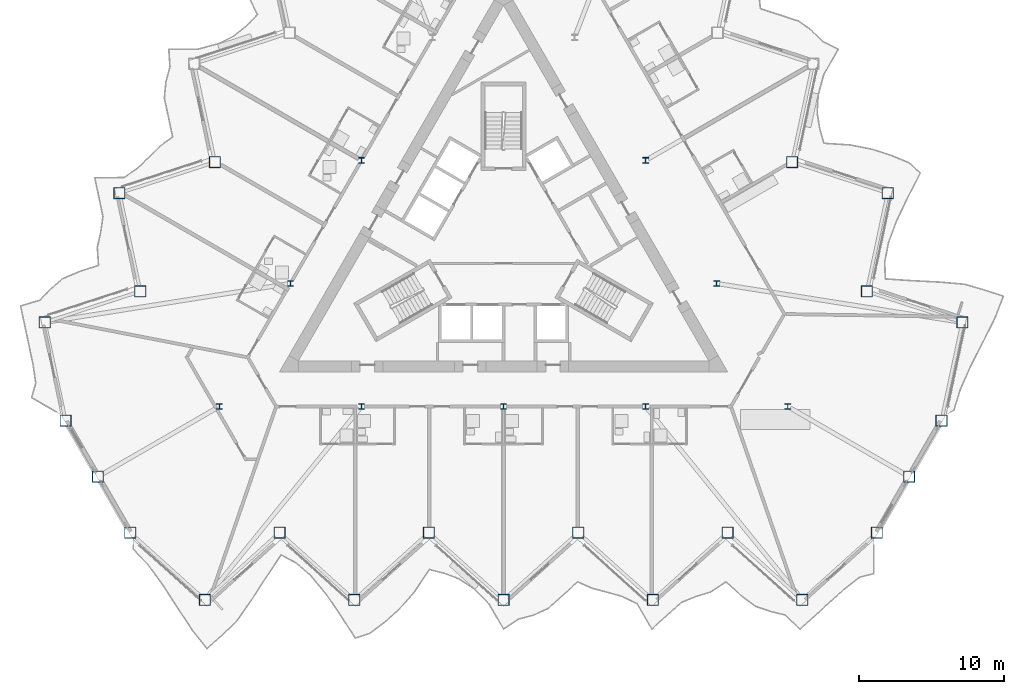
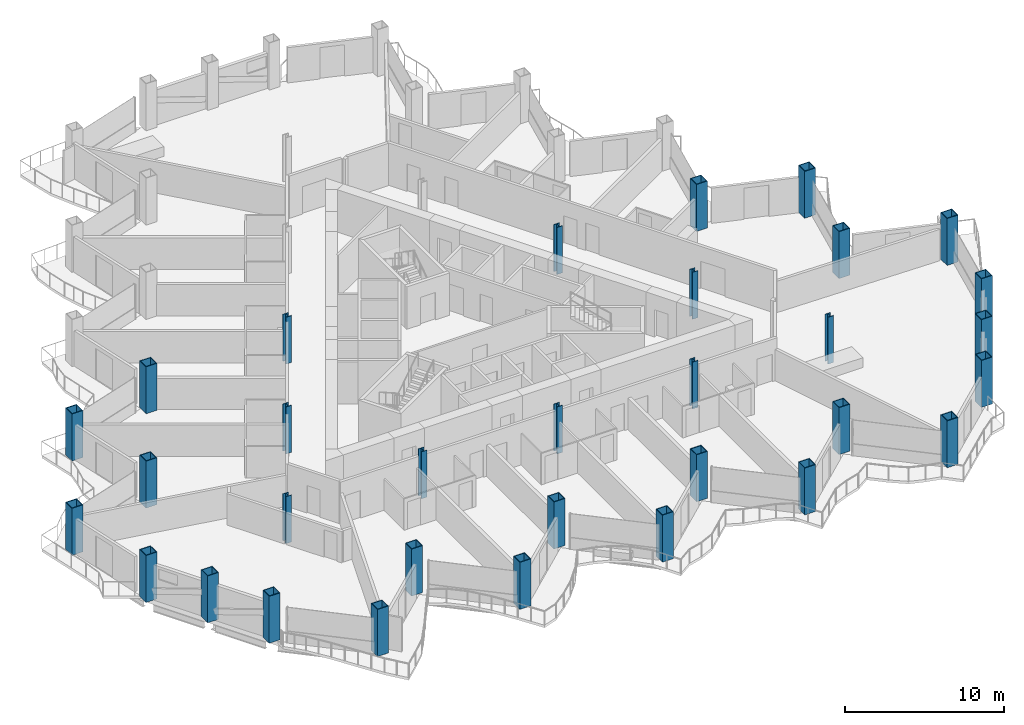
# One storey, part 1 of 23: 32 columns.
"""IFC4 building model written with IfcOpenShell, lengths in metres."""

from ifc_helpers import new_model, si_unit, direction, frame, origin, origin_2d, place, context, subcontext, project, spatial, hollow_rectangle, i_section, extrude, material, material_profile, profile_set, type_object, element, save


model = new_model("IFC4")

# Units and contexts
model_context = context("Model", 3, precision=1e-05, world=origin(), true_north=direction((0.0, 1.0)))
body_context = subcontext(model_context, "Body", "Model", "MODEL_VIEW")
ifc_project = project(units=[si_unit("LENGTHUNIT", "METRE"), si_unit("AREAUNIT", "SQUARE_METRE"), si_unit("VOLUMEUNIT", "CUBIC_METRE"), si_unit("PLANEANGLEUNIT", "RADIAN"), si_unit("MASSUNIT", "GRAM", prefix="KILO")], contexts=[model_context])

# Site, building, storey
site_placement = place(None, origin())
site = spatial("IfcSite", under=ifc_project, at=site_placement, CompositionType="ELEMENT")
building_placement = place(site_placement, origin())
building = spatial("IfcBuilding", under=site, at=building_placement, Name="Cormorant Prow Tower", CompositionType="ELEMENT")
storey_placement = place(building_placement, frame((0.0, 0.0, 180.0)))
storey = spatial("IfcBuildingStorey", under=building, at=storey_placement, Name="L38", CompositionType="ELEMENT", Elevation=180.0)

# Columns
ifc_material_1 = material(Name="Structural steel ASTM A572 Gr 50", Category="steel")
ifc_material_profile_1 = material_profile(ifc_material_1, hollow_rectangle(XDim=0.800048828125, YDim=0.800048828125, WallThickness=0.050048828125, at=origin_2d()), Name="Box 800x800x50")
ifc_profile_set_1 = profile_set([ifc_material_profile_1], Name="Structural steel ASTM A572 Gr 50")
column_type_1 = type_object("IfcColumnType", Name="Perimeter box column 800x800x50", PredefinedType="COLUMN", material=ifc_profile_set_1)
for number, where, z_axis, x_axis, name in (
    (1, (-25.823486328125, -20.0712890625, 0.0), (0.0, 0.0, 1.0), (1.0, 0.0, 0.0), "Perimeter column C4 at S00 L38"),
    (2, (-20.658935546875, -24.7216796875, 0.0), (0.0, 0.0, 1.0), (1.0, 0.0, 0.0), "Perimeter column C4 at S01 L38"),
    (3, (-15.494140625, -20.0712890625, 0.0), (0.0, 0.0, 1.0), (1.0, 0.0, 0.0), "Perimeter column C4 at S02 L38"),
    (4, (-10.329345703125, -24.7216796875, 0.0), (0.0, 0.0, 1.0), (1.0, 0.0, 0.0), "Perimeter column C4 at S03 L38"),
    (5, (-5.164794921875, -20.0712890625, 0.0), (0.0, 0.0, 1.0), (1.0, 0.0, 0.0), "Perimeter column C4 at S04 L38"),
    (6, (0.0, -24.7216796875, 0.0), (0.0, 0.0, 1.0), (1.0, 0.0, 0.0), "Perimeter column C4 at S05 L38"),
    (7, (5.164794921875, -20.0712890625, 0.0), (0.0, 0.0, 1.0), (1.0, 0.0, 0.0), "Perimeter column C4 at S06 L38"),
    (8, (10.329345703125, -24.7216796875, 0.0), (0.0, 0.0, 1.0), (1.0, 0.0, 0.0), "Perimeter column C4 at S07 L38"),
    (9, (15.494140625, -20.0712890625, 0.0), (0.0, 0.0, 1.0), (1.0, 0.0, 0.0), "Perimeter column C4 at S08 L38"),
    (10, (20.658935546875, -24.7216796875, 0.0), (0.0, 0.0, 1.0), (1.0, 0.0, 0.0), "Perimeter column C4 at S09 L38"),
    (11, (25.823486328125, -20.0712890625, 0.0), (0.0, 0.0, 1.0), (1.0, 0.0, 0.0), "Perimeter column C4 at ESE00 L38"),
    (12, (28.058837890625, -16.19970703125, 0.0), (0.0, 0.0, 1.0), (1.0, 0.0, 0.0), "Perimeter column C4 at ESE01 L38"),
    (13, (30.2939453125, -12.328369140625, 0.0), (0.0, 0.0, 1.0), (1.0, 0.0, 0.0), "Perimeter column C4 at ENE00 L38"),
    (14, (31.739013671875, -5.5302734375, 0.0), (0.0, 0.0, 1.0), (1.0, 0.0, 0.0), "Perimeter column C4 at ENE01 L38"),
    (15, (25.12939453125, -3.3828125, 0.0), (0.0, 0.0, 1.0), (1.0, 0.0, 0.0), "Perimeter column C4 at ENE02 L38"),
    (16, (26.57421875, 3.415283203125, 0.0), (0.0, 0.0, 1.0), (1.0, 0.0, 0.0), "Perimeter column C4 at ENE03 L38"),
    (17, (19.964599609375, 5.562744140625, 0.0), (0.0, 0.0, 1.0), (1.0, 0.0, 0.0), "Perimeter column C4 at ENE04 L38"),
    (18, (-19.964599609375, 5.562744140625, 0.0), (0.0, 0.0, 1.0), (1.0, 0.0, 0.0), "Perimeter column C4 at WNW06 L38"),
    (19, (-26.57421875, 3.415283203125, 0.0), (0.0, 0.0, 1.0), (1.0, 0.0, 0.0), "Perimeter column C4 at WNW07 L38"),
    (20, (-25.12939453125, -3.3828125, 0.0), (0.0, 0.0, 1.0), (1.0, 0.0, 0.0), "Perimeter column C4 at WNW08 L38"),
    (21, (-31.739013671875, -5.5302734375, 0.0), (0.0, 0.0, 1.0), (1.0, 0.0, 0.0), "Perimeter column C4 at WNW09 L38"),
    (22, (-30.2939453125, -12.328369140625, 0.0), (0.0, 0.0, 1.0), (1.0, 0.0, 0.0), "Perimeter column C4 at WSW00 L38"),
    (23, (-28.058837890625, -16.19970703125, 0.0), (0.0, 0.0, 1.0), (1.0, 0.0, 0.0), "Perimeter column C4 at WSW01 L38"),
):
    element("IfcColumn", number, at=place(storey_placement, frame(where, z_axis=z_axis, x_axis=x_axis)), inside=storey, type_object=column_type_1, Name=name, PredefinedType="COLUMN", context=body_context, shape_type="SweptSolid", body=[
        extrude(hollow_rectangle(XDim=0.800048828125, YDim=0.800048828125, WallThickness=0.050048828125, at=origin_2d()), origin(), (0.0, 0.0, 1.0), 3.60009765625),
    ])
ifc_material_2 = material(Name="Structural steel ASTM A992 Gr 50", Category="steel")
ifc_material_profile_2 = material_profile(ifc_material_2, i_section(OverallWidth=0.403564453125, OverallDepth=0.407470703125, WebThickness=0.027099609375, FlangeThickness=0.043701171875, at=origin_2d()), Name="W14x233")
ifc_profile_set_2 = profile_set([ifc_material_profile_2], Name="Structural steel ASTM A992 Gr 50")
column_type_2 = type_object("IfcColumnType", Name="Ring column W14x233", PredefinedType="COLUMN", material=ifc_profile_set_2)
for number, where, z_axis, x_axis, name in (
    (24, (-9.828369140625, 5.674560546875, 0.0), (0.0, 0.0, 1.0), (1.0, 0.0, 0.0), "Ring column 3 L38"),
    (25, (-14.74267578125, -2.837158203125, 0.0), (0.0, 0.0, 1.0), (1.0, 0.0, 0.0), "Ring column 4 L38"),
    (26, (-19.656982421875, -11.348876953125, 0.0), (0.0, 0.0, 1.0), (1.0, 0.0, 0.0), "Ring column 5 L38"),
    (27, (-9.828369140625, -11.348876953125, 0.0), (0.0, 0.0, 1.0), (1.0, 0.0, 0.0), "Ring column 6 L38"),
    (28, (0.0, -11.348876953125, 0.0), (0.0, 0.0, 1.0), (1.0, 0.0, 0.0), "Ring column 7 L38"),
    (29, (9.828369140625, -11.348876953125, 0.0), (0.0, 0.0, 1.0), (1.0, 0.0, 0.0), "Ring column 8 L38"),
    (30, (19.656982421875, -11.348876953125, 0.0), (0.0, 0.0, 1.0), (1.0, 0.0, 0.0), "Ring column 9 L38"),
    (31, (14.74267578125, -2.837158203125, 0.0), (0.0, 0.0, 1.0), (1.0, 0.0, 0.0), "Ring column 10 L38"),
    (32, (9.828369140625, 5.674560546875, 0.0), (0.0, 0.0, 1.0), (1.0, 0.0, 0.0), "Ring column 11 L38"),
):
    element("IfcColumn", number, at=place(storey_placement, frame(where, z_axis=z_axis, x_axis=x_axis)), inside=storey, type_object=column_type_2, Name=name, PredefinedType="COLUMN", context=body_context, shape_type="SweptSolid", body=[
        extrude(i_section(OverallWidth=0.403564453125, OverallDepth=0.407470703125, WebThickness=0.027099609375, FlangeThickness=0.043701171875, at=origin_2d()), origin(), (0.0, 0.0, 1.0), 3.60009765625),
    ])

save(model, "model.ifc")
